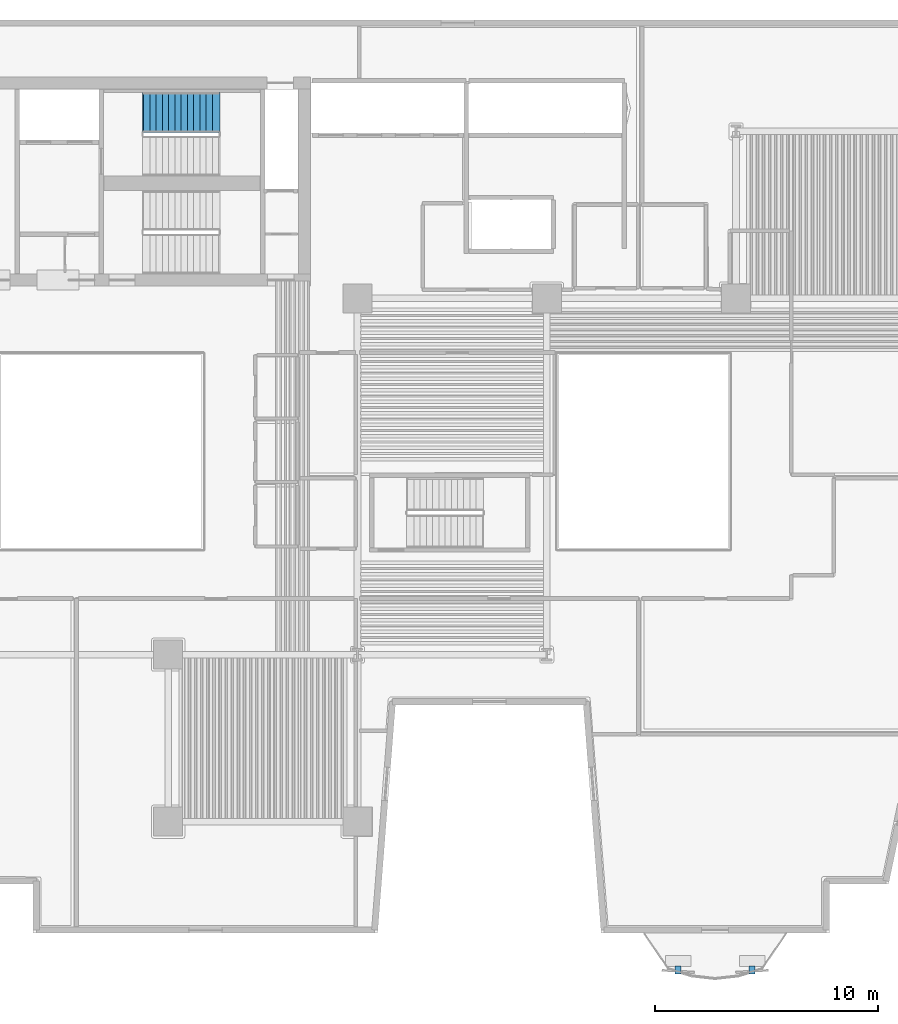
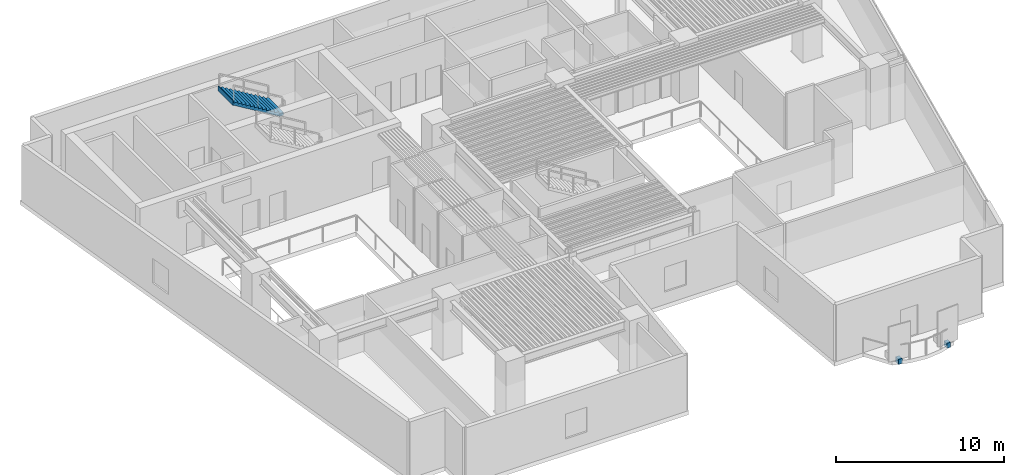
# One storey, part 7 of 11: 2 discrete accessories, 1 stair flight, 1 element without a shape of its own.
"""IFC4 building model written with IfcOpenShell, lengths in metres."""

from ifc_helpers import new_model, si_unit, direction, frame, origin, origin_2d, place, context, subcontext, project, spatial, polyline, rectangle, outline, extrude, material, type_object, element, aggregate, save


model = new_model("IFC4")

# Units and contexts
model_context = context("Model", 3, precision=1e-05, world=origin(), true_north=direction((0.0, 1.0)))
body_context = subcontext(model_context, "Body", "Model", "MODEL_VIEW")
ifc_project = project(units=[si_unit("LENGTHUNIT", "METRE"), si_unit("AREAUNIT", "SQUARE_METRE"), si_unit("VOLUMEUNIT", "CUBIC_METRE"), si_unit("PLANEANGLEUNIT", "RADIAN"), si_unit("MASSUNIT", "GRAM", prefix="KILO")], contexts=[model_context])

# Site, building, storey
site_placement = place(None, origin())
site = spatial("IfcSite", under=ifc_project, at=site_placement, CompositionType="ELEMENT")
building_placement = place(site_placement, origin())
building = spatial("IfcBuilding", under=site, at=building_placement, Name="Caeloran Harvest Quay", CompositionType="ELEMENT")
storey_placement = place(building_placement, frame((0.0, 0.0, 44.60009765625)))
storey = spatial("IfcBuildingStorey", under=building, at=storey_placement, Name="L10", CompositionType="ELEMENT", Elevation=44.60009765625)

# Stair, stair flight
ifc_material_1 = material(Name="Concrete C50/60", Category="concrete")
stair_type = type_object("IfcStairType", Name="STAIR-STC-180", PredefinedType="HALF_TURN_STAIR", material=ifc_material_1)
stair_placement = place(storey_placement, origin())
stair = element("IfcStair", 1, at=stair_placement, inside=storey, type_object=stair_type, Name="L10 Core Pressurized Exit Stair ST-C1", PredefinedType="HALF_TURN_STAIR")
stair_flight_type = type_object("IfcStairFlightType", Name="FLIGHT-STC-180", PredefinedType="STRAIGHT", material=ifc_material_1)
stair_flight_placement = place(storey_placement, frame((19.260009765625, 39.35009765625, 2.199951171875), z_axis=(0.0, 0.0, 1.0), x_axis=(-1.0, 0.0, 0.0)))
stair_flight = element("IfcStairFlight", 2, at=stair_flight_placement, type_object=stair_flight_type, Name="ST-C1 flight 2", NumberOfRisers=13, NumberOfTreads=12, PredefinedType="STRAIGHT", RiserHeight=0.169230769, TreadLength=0.28, context=body_context, shape_type="SweptSolid", body=[
    extrude(outline(polyline([(-0.054931640625, -0.044921875), (-0.054931640625, -0.031494140625), (-0.054931640625, -0.018310546875), (-0.054931640625, -0.0048828125), (-0.054931640625, 0.008544921875), (-0.054931640625, 0.02197265625), (-0.054931640625, 0.035400390625), (-0.054931640625, 0.048828125), (-0.054931640625, 0.06201171875), (-0.054931640625, 0.075439453125), (-0.054931640625, 0.0888671875), (-0.054931640625, 0.102294921875), (-0.054931640625, 0.11572265625), (-0.054931640625, 0.129150390625), (-0.054931640625, 0.142333984375), (-0.054931640625, 0.15576171875), (-0.054931640625, 0.169189453125), (0.280029296875, 0.169189453125), (0.280029296875, 0.33837890625), (0.56005859375, 0.33837890625), (0.56005859375, 0.5078125), (0.840087890625, 0.5078125), (0.840087890625, 0.677001953125), (1.1201171875, 0.677001953125), (1.1201171875, 0.84619140625), (1.39990234375, 0.84619140625), (1.39990234375, 1.015380859375), (1.679931640625, 1.015380859375), (1.679931640625, 1.1845703125), (1.9599609375, 1.1845703125), (1.9599609375, 1.353759765625), (2.239990234375, 1.353759765625), (2.239990234375, 1.523193359375), (2.52001953125, 1.523193359375), (2.52001953125, 1.6923828125), (2.800048828125, 1.6923828125), (2.800048828125, 1.861572265625), (3.080078125, 1.861572265625), (3.080078125, 2.03076171875), (3.360107421875, 2.03076171875), (3.360107421875, 2.199951171875), (3.4150390625, 2.199951171875), (3.4150390625, 2.178466796875), (3.4150390625, 2.156982421875), (3.4150390625, 2.135498046875), (3.4150390625, 2.114013671875), (3.4150390625, 2.09228515625), (3.4150390625, 2.07080078125), (3.4150390625, 2.04931640625), (3.4150390625, 2.02783203125), (3.4150390625, 2.00634765625), (3.4150390625, 1.98486328125), (3.4150390625, 1.963134765625), (3.4150390625, 1.941650390625), (3.4150390625, 1.920166015625), (3.4150390625, 1.898681640625), (3.4150390625, 1.877197265625), (3.4150390625, 1.855712890625), (3.360107421875, 1.855712890625), (0.21533203125, -0.044921875), (-0.054931640625, -0.044921875)])), frame((0.0, 0.89990234375, 0.0), z_axis=(0.0, -1.0, 0.0), x_axis=(1.0, 0.0, 0.0)), (0.0, 0.0, 1.0), 1.800048828125),
])
aggregate(stair, [stair_flight])

# Discrete accessories
ifc_material_2 = material(Name="Stainless Steel Grade 316L", Category="steel")
discrete_accessory_type = type_object("IfcDiscreteAccessoryType", Name="BRACKET-SCREEN-SS", PredefinedType="BRACKET", material=ifc_material_2)
for number, where, z_axis, x_axis, name in (
    (3, (43.218505859375, 0.840087890625, -0.22021484375), (0.0, 0.0, 1.0), (1.0, 0.0, 0.0), "L10 Balcony Screen Support Bracket 1"),
    (4, (39.8984375, 0.840087890625, -0.22021484375), (0.0, 0.0, 1.0), (1.0, 0.0, 0.0), "L10 Balcony Screen Support Bracket 2"),
):
    element("IfcDiscreteAccessory", number, at=place(storey_placement, frame(where, z_axis=z_axis, x_axis=x_axis)), inside=storey, type_object=discrete_accessory_type, Name=name, PredefinedType="BRACKET", context=body_context, shape_type="SweptSolid", body=[
        extrude(rectangle(XDim=0.260009765625, YDim=0.340087890625, at=origin_2d()), origin(), (0.0, 0.0, 1.0), 0.360107421875),
    ])

save(model, "model.ifc")
